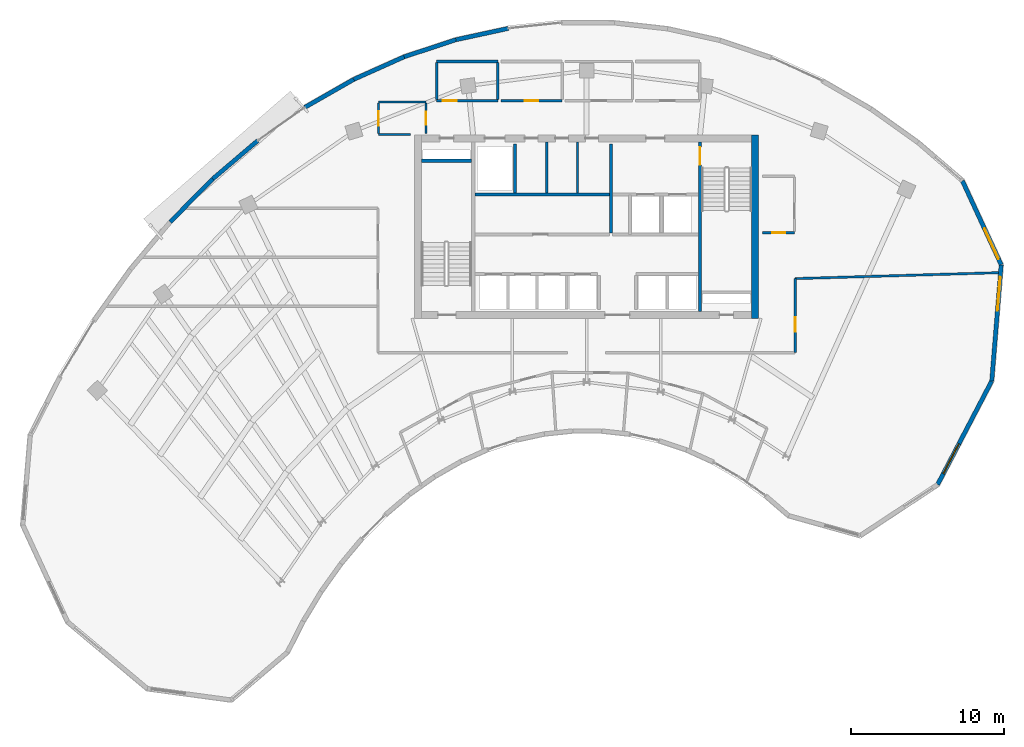
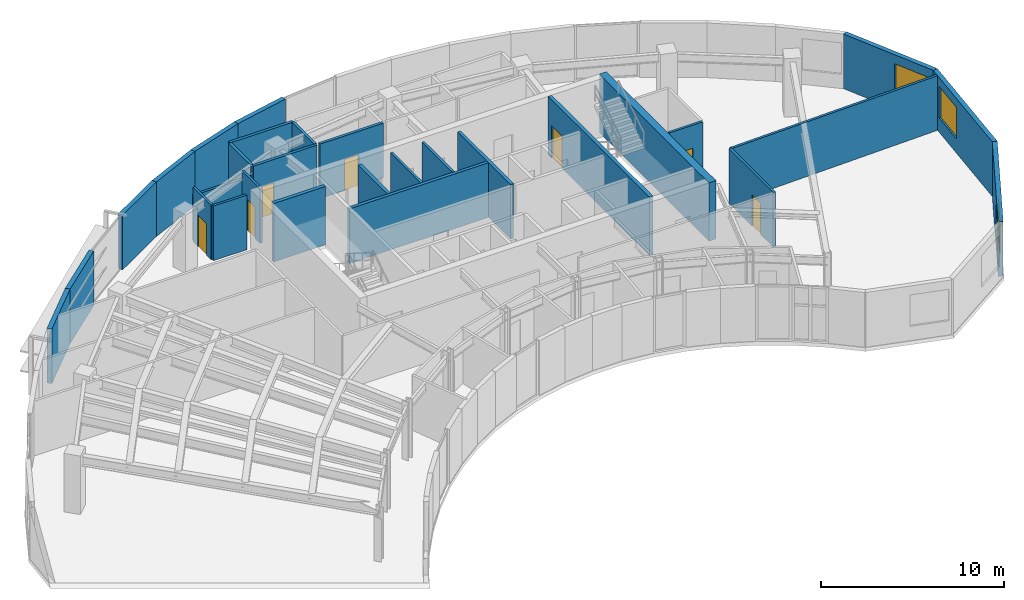
# One storey, part 9 of 12: 29 walls, 7 doors, 3 windows, 10 openings.
"""IFC4 building model written with IfcOpenShell, lengths in metres."""

import ifcopenshell
import ifcopenshell.guid

model = None  # the IFC model being written
_history = None  # IfcOwnerHistory: only IFC2X3 demands one
_inside = {}  # id of a spatial element -> (the spatial element, [elements in it])
_under = {}  # id of a project, library or spatial element -> (it, [spatial elements below it])
_declared = {}  # id of a project -> (the project, [libraries it declares])
_typed = {}  # id of a type object -> (the type object, [elements of that type])
_made_of = {}  # id of a material, layer set ... -> (it, [elements and type objects made of it])


def new_model(schema):
    """Start an empty IFC model of exactly this schema.

    Asked for "IFC4X3", IfcOpenShell would pick the latest addendum, in which some entities
    have other attributes; the version numbers below select the first issue.
    IFC2X3 requires an IfcOwnerHistory on every rooted entity: one is made here for all.
    """
    global model, _history
    if schema == "IFC4X3":
        model = ifcopenshell.file(schema_version=(4, 3, 0, 0))
    else:
        model = ifcopenshell.file(schema=schema)
    _inside.clear()
    _under.clear()
    _declared.clear()
    _typed.clear()
    _made_of.clear()
    _history = None
    if model.schema == "IFC2X3":
        org = make("IfcOrganization", Name="unknown")
        user = make(
            "IfcPersonAndOrganization",
            ThePerson=make("IfcPerson", FamilyName="unknown"),
            TheOrganization=org,
        )
        app = make(
            "IfcApplication",
            ApplicationDeveloper=org,
            Version="unknown",
            ApplicationFullName="unknown",
            ApplicationIdentifier="unknown",
        )
        _history = make(
            "IfcOwnerHistory",
            OwningUser=user,
            OwningApplication=app,
            ChangeAction="ADDED",
            CreationDate=0,
        )
    return model


def make(cls, **values):
    """One entity of the class cls with the attributes given. An attribute that is None is left unset."""
    return model.create_entity(
        cls, **{name: value for name, value in values.items() if value is not None}
    )


def rooted(cls, **values):
    """An entity with a GlobalId (a new one), such as an element, a storey or a relation."""
    return make(cls, GlobalId=ifcopenshell.guid.new(), OwnerHistory=_history, **values)


def si_unit(unit_type, name, prefix=None):
    """IfcSIUnit, for example si_unit("LENGTHUNIT", "METRE", prefix="MILLI")."""
    return make("IfcSIUnit", UnitType=unit_type, Prefix=prefix, Name=name)


def assignment(units):
    """IfcUnitAssignment: the units of a project."""
    return None if units is None else make("IfcUnitAssignment", Units=units)


def point(xyz):
    """IfcCartesianPoint."""
    return None if xyz is None else make("IfcCartesianPoint", Coordinates=xyz)


def direction(xyz):
    """IfcDirection."""
    return None if xyz is None else make("IfcDirection", DirectionRatios=xyz)


def frame(location, z_axis=None, x_axis=None):
    """IfcAxis2Placement3D, a coordinate frame: its origin and axes. An axis left out is left unset."""
    return make(
        "IfcAxis2Placement3D",
        Location=point(location),
        Axis=direction(z_axis),
        RefDirection=direction(x_axis),
    )


def frame_2d(location, x_axis=None):
    """IfcAxis2Placement2D, a coordinate frame in the plane: its origin and x axis."""
    return make(
        "IfcAxis2Placement2D", Location=point(location), RefDirection=direction(x_axis)
    )


def origin():
    """The frame at (0, 0, 0) with its axes left unset."""
    return frame((0.0, 0.0, 0.0))


def place(relative_to, where):
    """IfcLocalPlacement: puts the frame where relative to a parent placement (None: the world)."""
    return make(
        "IfcLocalPlacement", PlacementRelTo=relative_to, RelativePlacement=where
    )


def context(
    kind, dimensions, precision=None, world=None, true_north=None, identifier=None
):
    """IfcGeometricRepresentationContext, for example the 3D "Model" context."""
    return make(
        "IfcGeometricRepresentationContext",
        ContextIdentifier=identifier,
        ContextType=kind,
        CoordinateSpaceDimension=dimensions,
        Precision=precision,
        WorldCoordinateSystem=world,
        TrueNorth=true_north,
    )


def subcontext(parent, identifier, kind, view, scale=None):
    """IfcGeometricRepresentationSubContext, for example "Body" below "Model"."""
    return make(
        "IfcGeometricRepresentationSubContext",
        ContextIdentifier=identifier,
        ContextType=kind,
        ParentContext=parent,
        TargetScale=scale,
        TargetView=view,
    )


def project(units=None, contexts=None):
    """IfcProject with its units and contexts."""
    return rooted(
        "IfcProject",
        Name="project",
        RepresentationContexts=contexts,
        UnitsInContext=assignment(units),
    )


def spatial(cls, under=None, at=None, **own):
    """A site, building, storey or space (cls), placed at a placement, below another one or the project."""
    s = rooted(cls, ObjectPlacement=at, **own)
    if under is not None:
        _under.setdefault(under.id(), (under, []))[1].append(s)
    return s


def profile(cls, at=None, kind="AREA", **sizes):
    """A parametric profile (cls). Its sizes go by their IFC names, for example OverallWidth=200.0."""
    return make(cls, ProfileType=kind, Position=at, **sizes)


def rectangle(**sizes):
    """IfcRectangleProfileDef."""
    return profile("IfcRectangleProfileDef", **sizes)


def extrude(swept, where, along, depth):
    """IfcExtrudedAreaSolid: the profile swept, set in the frame where, extruded along a direction by depth."""
    return make(
        "IfcExtrudedAreaSolid",
        SweptArea=swept,
        Position=where,
        ExtrudedDirection=direction(along),
        Depth=depth,
    )


def shape(context_of_items, identifier, shape_type, items):
    """IfcShapeRepresentation: the items that make up one representation, for example the "Body"."""
    return make(
        "IfcShapeRepresentation",
        ContextOfItems=context_of_items,
        RepresentationIdentifier=identifier,
        RepresentationType=shape_type,
        Items=items,
    )


def source(mapping_origin, context_of_items, identifier, shape_type, items):
    """IfcRepresentationMap: a shape defined once, which mapped items show again and again."""
    return make(
        "IfcRepresentationMap",
        MappingOrigin=mapping_origin,
        MappedRepresentation=shape(context_of_items, identifier, shape_type, items),
    )


def transform(
    local_origin,
    x_axis=None,
    y_axis=None,
    z_axis=None,
    scale=None,
    scale2=None,
    scale3=None,
    uniform=True,
):
    """IfcCartesianTransformationOperator3D, or its non-uniform kind. x_axis, y_axis, z_axis: its Axis1, 2, 3."""
    if uniform:
        return make(
            "IfcCartesianTransformationOperator3D",
            Axis1=direction(x_axis),
            Axis2=direction(y_axis),
            LocalOrigin=point(local_origin),
            Scale=scale,
            Axis3=direction(z_axis),
        )
    return make(
        "IfcCartesianTransformationOperator3DnonUniform",
        Axis1=direction(x_axis),
        Axis2=direction(y_axis),
        LocalOrigin=point(local_origin),
        Scale=scale,
        Axis3=direction(z_axis),
        Scale2=scale2,
        Scale3=scale3,
    )


def mapped(mapping_source, mapping_target):
    """IfcMappedItem: shows the shape of a source again, moved by a transform."""
    return make(
        "IfcMappedItem", MappingSource=mapping_source, MappingTarget=mapping_target
    )


def material(Name=None, Category=None):
    """IfcMaterial."""
    return make("IfcMaterial", Name=Name, Category=Category)


def layer(
    of_material, thickness, ventilated=None, Name=None, Category=None, Priority=None
):
    """IfcMaterialLayer: one layer of a wall or slab, of a material (None: an air gap)."""
    return make(
        "IfcMaterialLayer",
        Material=of_material,
        LayerThickness=thickness,
        IsVentilated=ventilated,
        Name=Name,
        Category=Category,
        Priority=Priority,
    )


def layer_set(layers, Name=None):
    """IfcMaterialLayerSet."""
    return make("IfcMaterialLayerSet", MaterialLayers=layers, LayerSetName=Name)


def made_of(thing, what):
    """Note that an element or type object is made of a material, layer set ...; save() writes the relation."""
    if what is not None:
        _made_of.setdefault(what.id(), (what, []))[1].append(thing)
    return thing


def type_object(cls, material=None, **own):
    """A type object (cls), such as IfcWallType, which elements share."""
    return made_of(rooted(cls, **own), material)


def type_shapes(of_type, sources):
    """Give a type object the sources (RepresentationMaps) that its elements show as mapped items."""
    of_type.RepresentationMaps = sources


def element(
    cls,
    number,
    at=None,
    inside=None,
    cuts=None,
    type_object=None,
    material=None,
    context=None,
    identifier="Body",
    shape_type=None,
    held_by="IfcProductDefinitionShape",
    body=None,
    shapes=None,
    **own,
):
    """One element of the class cls, such as IfcWall. Its Tag is "e" and its number.

    at: its placement. inside: the storey or other place that contains it. cuts: it is an
    opening in that element (IfcRelVoidsElement). A single representation is given by context,
    identifier, shape_type and body (its items); several are given by shapes. held_by: the class
    of the entity that holds the representations. save() writes the other relations.
    """
    e = rooted(cls, Tag="e%d" % number, ObjectPlacement=at, **own)
    if body is not None:
        shapes = [shape(context, identifier, shape_type, body)]
    if shapes is not None:
        e.Representation = make(held_by, Representations=shapes)
    if inside is not None:
        _inside.setdefault(inside.id(), (inside, []))[1].append(e)
    if cuts is not None:
        rooted(
            "IfcRelVoidsElement", RelatingBuildingElement=cuts, RelatedOpeningElement=e
        )
    if type_object is not None:
        _typed.setdefault(type_object.id(), (type_object, []))[1].append(e)
    return made_of(e, material)


def fill(opening, filler):
    """IfcRelFillsElement: the door or window that sits in an opening."""
    return rooted(
        "IfcRelFillsElement",
        RelatingOpeningElement=opening,
        RelatedBuildingElement=filler,
    )


def aggregate(whole, parts):
    """IfcRelAggregates: a whole, such as a stair, and the parts it consists of."""
    return rooted("IfcRelAggregates", RelatingObject=whole, RelatedObjects=parts)


def save(model, path):
    """Write the relations noted so far, then the file.

    IfcRelAggregates (storeys below a building ...), IfcRelContainedInSpatialStructure (elements
    in a storey), IfcRelDefinesByType, IfcRelAssociatesMaterial and IfcRelDeclares: one each for
    every whole, place, type object, material and project.
    """
    for whole, parts in _under.values():
        aggregate(whole, parts)
    for where, things in _inside.values():
        rooted(
            "IfcRelContainedInSpatialStructure",
            RelatedElements=things,
            RelatingStructure=where,
        )
    for kind, things in _typed.values():
        rooted("IfcRelDefinesByType", RelatedObjects=things, RelatingType=kind)
    for what, things in _made_of.values():
        rooted("IfcRelAssociatesMaterial", RelatedObjects=things, RelatingMaterial=what)
    for by, libraries in _declared.values():
        rooted("IfcRelDeclares", RelatingContext=by, RelatedDefinitions=libraries)
    model.write(path)


model = new_model("IFC4")

# Units and contexts
model_context = context("Model", 3, precision=1e-05, world=origin(), true_north=direction((0.0, 1.0)))
body_context = subcontext(model_context, "Body", "Model", "MODEL_VIEW")
ifc_project = project(units=[si_unit("LENGTHUNIT", "METRE"), si_unit("AREAUNIT", "SQUARE_METRE"), si_unit("VOLUMEUNIT", "CUBIC_METRE"), si_unit("PLANEANGLEUNIT", "RADIAN"), si_unit("MASSUNIT", "GRAM", prefix="KILO")], contexts=[model_context])

# Site, building, storey
site_placement = place(None, origin())
site = spatial("IfcSite", under=ifc_project, at=site_placement, CompositionType="ELEMENT")
building_placement = place(site_placement, origin())
building = spatial("IfcBuilding", under=site, at=building_placement, Name="Breltana Convention Tower", CompositionType="ELEMENT")
storey_placement = place(building_placement, frame((0.0, 0.0, 239.10009765625)))
storey = spatial("IfcBuildingStorey", under=building, at=storey_placement, Name="L58", CompositionType="ELEMENT", Elevation=239.10009765625)

# Walls
ifc_material_1 = material(Name="Concrete C50/60", Category="concrete")
ifc_layer_1 = layer(ifc_material_1, 0.39990234375, Name="Concrete C50/60")
ifc_layer_set_1 = layer_set([ifc_layer_1], Name="Concrete C50/60")
wall_type_1 = type_object("IfcWallType", Name="SW-CORE-400", PredefinedType="SHEAR", material=ifc_layer_set_1)
shared_shape_1 = source(origin(), body_context, "Body", "SweptSolid", [
    extrude(rectangle(XDim=3.27001953125, YDim=0.219970703125, at=frame_2d((1.635009765625, 0.0))), origin(), (0.0, 0.0, 1.0), 3.89990234375),
])
wall_1_placement = place(storey_placement, frame((37.199951171875, 70.510009765625, 0.0), z_axis=(0.0, 0.0, 1.0), x_axis=(1.0, 0.0, 0.0)))
element("IfcWall", 1, at=wall_1_placement, inside=storey, type_object=wall_type_1, Name="L58 ST-1 Stairwell North Bearing Wall", PredefinedType="SHEAR", context=body_context, shape_type="MappedRepresentation", body=[
    mapped(shared_shape_1, transform((0.0, 0.0, 0.0), scale=1.0)),
])
ifc_material_2 = material(Name="Concrete C60/75", Category="concrete")
ifc_layer_2 = layer(ifc_material_2, 0.449951171875, Name="Concrete C60/75")
ifc_layer_set_2 = layer_set([ifc_layer_2], Name="Concrete C60/75")
wall_type_2 = type_object("IfcWallType", Name="SW-CORE-450", PredefinedType="SHEAR", material=ifc_layer_set_2)
shared_shape_2 = source(origin(), body_context, "Body", "SweptSolid", [
    extrude(rectangle(XDim=12.0, YDim=0.449951171875, at=frame_2d((6.0, 0.0))), origin(), (0.0, 0.0, 1.0), 3.89990234375),
])
wall_2_placement = place(storey_placement, frame((59.02490234375, 60.199951171875, 0.0), z_axis=(0.0, 0.0, 1.0), x_axis=(0.0, 1.0, 0.0)))
element("IfcWall", 2, at=wall_2_placement, inside=storey, type_object=wall_type_2, Name="L58 East Core Shear Wall", PredefinedType="SHEAR", context=body_context, shape_type="MappedRepresentation", body=[
    mapped(shared_shape_2, transform((0.0, 0.0, 0.0), scale=1.0)),
])

# Wall, opening, door
shared_shape_3 = source(origin(), body_context, "Body", "SweptSolid", [
    extrude(rectangle(XDim=11.10009765625, YDim=0.219970703125, at=frame_2d((5.550048828125, 0.0))), origin(), (0.0, 0.0, 1.0), 3.89990234375),
])
wall_3_placement = place(storey_placement, frame((55.419921875, 60.64990234375, 0.0), z_axis=(0.0, 0.0, 1.0), x_axis=(0.0, 1.0, 0.0)))
wall_3 = element("IfcWall", 3, at=wall_3_placement, inside=storey, type_object=wall_type_1, Name="L58 Core East Stair Spine Wall", PredefinedType="SHEAR", context=body_context, shape_type="MappedRepresentation", body=[
    mapped(shared_shape_3, transform((0.0, 0.0, 0.0), scale=1.0)),
])
opening_1_placement = place(wall_3_placement, frame((9.594970703125, 0.0, 0.0)))
opening_1 = element("IfcOpeningElement", 4, at=opening_1_placement, cuts=wall_3, Name="Opening D-11", PredefinedType="OPENING", context=body_context, shape_type="SweptSolid", body=[
    extrude(rectangle(XDim=1.14990234375, YDim=2.14990234375, at=frame_2d((0.574951171875, 1.074951171875))), frame((0.0, 0.1201171875, 0.0), z_axis=(0.0, -1.0, 0.0), x_axis=(1.0, 0.0, 0.0)), (0.0, 0.0, 1.0), 0.239990234375),
])
ifc_material_3 = material(Name="Steel Stair Exit Door", Category="steel")
door_type_1 = type_object("IfcDoorType", Name="DR-FD120-1150", OperationType="NOTDEFINED", PredefinedType="DOOR", material=ifc_material_3)
shared_shape_4 = source(origin(), body_context, "Body", "SweptSolid", [
    extrude(rectangle(XDim=1.14990234375, YDim=2.14990234375, at=frame_2d((0.574951171875, 1.074951171875))), frame((0.0, 0.02490234375, 0.0), z_axis=(0.0, -1.0, 0.0), x_axis=(1.0, 0.0, 0.0)), (0.0, 0.0, 1.0), 0.050048828125),
])
type_shapes(door_type_1, [shared_shape_4])
door_1_placement = place(opening_1_placement, origin())
door_1 = element("IfcDoor", 5, at=door_1_placement, inside=storey, type_object=door_type_1, Name="L58 interior door D-L58-ST2", OperationType="SINGLE_SWING_LEFT", OverallHeight=2.14990234375, OverallWidth=1.14990234375, PredefinedType="DOOR", context=body_context, shape_type="MappedRepresentation", body=[
    mapped(shared_shape_4, transform((0.0, 0.0, 0.0), scale=1.0)),
])
fill(opening_1, door_1)

# Wall, opening, window
ifc_material_4 = material(Name="Limestone Buff Insulated Wall", Category="masonry")
ifc_layer_3 = layer(ifc_material_4, 0.280029296875, Name="Limestone Buff Insulated Wall")
ifc_layer_set_3 = layer_set([ifc_layer_3], Name="Limestone Buff Insulated Wall")
wall_type_3 = type_object("IfcWallType", Name="WL-EXT-NOSE-280", PredefinedType="SOLIDWALL", material=ifc_layer_set_3)
shared_shape_5 = source(origin(), body_context, "Body", "SweptSolid", [
    extrude(rectangle(XDim=6.049560546875, YDim=0.280029296875, at=frame_2d((3.02490234375, 0.0))), origin(), (0.0, 0.0, 1.0), 3.64990234375),
])
wall_4_placement = place(storey_placement, frame((72.57421875, 69.1982421875, 0.0), z_axis=(0.0, 0.0, 1.0), x_axis=(0.41942922905, -0.907788037935, 0.0)))
wall_4 = element("IfcWall", 6, at=wall_4_placement, inside=storey, type_object=wall_type_3, Name="L58 curved limestone nose wall E1", PredefinedType="SOLIDWALL", context=body_context, shape_type="MappedRepresentation", body=[
    mapped(shared_shape_5, transform((0.0, 0.0, 0.0), scale=1.0)),
])
opening_2_placement = place(wall_4_placement, frame((3.437255859375, 0.0, 0.949951171875)))
opening_2 = element("IfcOpeningElement", 7, at=opening_2_placement, cuts=wall_4, Name="Opening W-03", PredefinedType="OPENING", context=body_context, shape_type="SweptSolid", body=[
    extrude(rectangle(XDim=2.199951171875, YDim=2.10009765625, at=frame_2d((1.10009765625, 1.050048828125))), frame((0.0, 0.14990234375, 0.0), z_axis=(0.0, -1.0, 0.0), x_axis=(1.0, 0.0, 0.0)), (0.0, 0.0, 1.0), 0.300048828125),
])
ifc_material_5 = material(Name="Glass Low-E Insulated Window", Category="glass")
window_type = type_object("IfcWindowType", Name="WN-NOSE-2200X2100", PartitioningType="TRIPLE_PANEL_VERTICAL", PredefinedType="WINDOW", material=ifc_material_5)
shared_shape_6 = source(origin(), body_context, "Body", "SweptSolid", [
    extrude(rectangle(XDim=2.199951171875, YDim=2.10009765625, at=frame_2d((1.10009765625, 1.050048828125))), frame((0.0, 0.030029296875, 0.0), z_axis=(0.0, -1.0, 0.0), x_axis=(1.0, 0.0, 0.0)), (0.0, 0.0, 1.0), 0.06005859375),
])
type_shapes(window_type, [shared_shape_6])
window_1_placement = place(opening_2_placement, origin())
window_1 = element("IfcWindow", 8, at=window_1_placement, inside=storey, type_object=window_type, Name="L58 nose window E1", OverallHeight=2.10009765625, OverallWidth=2.199951171875, PartitioningType="TRIPLE_PANEL_VERTICAL", PredefinedType="WINDOW", context=body_context, shape_type="MappedRepresentation", body=[
    mapped(shared_shape_6, transform((0.0, 0.0, 0.0), scale=1.0)),
])
fill(opening_2, window_1)

shared_shape_7 = source(origin(), body_context, "Body", "SweptSolid", [
    extrude(rectangle(XDim=7.618408203125, YDim=0.280029296875, at=frame_2d((3.80908203125, 0.0))), origin(), (0.0, 0.0, 1.0), 3.64990234375),
])
wall_5_placement = place(storey_placement, frame((75.111572265625, 63.70654296875, 0.0), z_axis=(0.0, 0.0, 1.0), x_axis=(-0.080820171031, -0.996728699273, 0.0)))
wall_5 = element("IfcWall", 9, at=wall_5_placement, inside=storey, type_object=wall_type_3, Name="L58 curved limestone nose wall E2", PredefinedType="SOLIDWALL", context=body_context, shape_type="MappedRepresentation", body=[
    mapped(shared_shape_7, transform((0.0, 0.0, 0.0), scale=1.0)),
])
opening_3_placement = place(wall_5_placement, frame((0.8046875, 0.0, 0.949951171875)))
opening_3 = element("IfcOpeningElement", 10, at=opening_3_placement, cuts=wall_5, Name="Opening W-03", PredefinedType="OPENING", context=body_context, shape_type="SweptSolid", body=[
    extrude(rectangle(XDim=2.199951171875, YDim=2.10009765625, at=frame_2d((1.10009765625, 1.050048828125))), frame((0.0, 0.14990234375, 0.0), z_axis=(0.0, -1.0, 0.0), x_axis=(1.0, 0.0, 0.0)), (0.0, 0.0, 1.0), 0.300048828125),
])
window_2_placement = place(opening_3_placement, origin())
window_2 = element("IfcWindow", 11, at=window_2_placement, inside=storey, type_object=window_type, Name="L58 nose window E2", OverallHeight=2.10009765625, OverallWidth=2.199951171875, PartitioningType="TRIPLE_PANEL_VERTICAL", PredefinedType="WINDOW", context=body_context, shape_type="MappedRepresentation", body=[
    mapped(shared_shape_6, transform((0.0, 0.0, 0.0), scale=1.0)),
])
fill(opening_3, window_2)

shared_shape_8 = source(origin(), body_context, "Body", "SweptSolid", [
    extrude(rectangle(XDim=7.647705078125, YDim=0.280029296875, at=frame_2d((3.82373046875, 0.0))), origin(), (0.0, 0.0, 1.0), 3.64990234375),
])
wall_6_placement = place(storey_placement, frame((74.495849609375, 56.113037109375, 0.0), z_axis=(0.0, 0.0, 1.0), x_axis=(-0.463116873665, -0.886297219519, 0.0)))
wall_6 = element("IfcWall", 12, at=wall_6_placement, inside=storey, type_object=wall_type_3, Name="L58 curved limestone nose wall E3", PredefinedType="SOLIDWALL", context=body_context, shape_type="MappedRepresentation", body=[
    mapped(shared_shape_8, transform((0.0, 0.0, 0.0), scale=1.0)),
])
opening_4_placement = place(wall_6_placement, frame((4.6357421875, 0.0, 0.949951171875)))
opening_4 = element("IfcOpeningElement", 13, at=opening_4_placement, cuts=wall_6, Name="Opening W-03", PredefinedType="OPENING", context=body_context, shape_type="SweptSolid", body=[
    extrude(rectangle(XDim=2.199951171875, YDim=2.10009765625, at=frame_2d((1.10009765625, 1.050048828125))), frame((0.0, 0.14990234375, 0.0), z_axis=(0.0, -1.0, 0.0), x_axis=(1.0, 0.0, 0.0)), (0.0, 0.0, 1.0), 0.300048828125),
])
window_3_placement = place(opening_4_placement, origin())
window_3 = element("IfcWindow", 14, at=window_3_placement, inside=storey, type_object=window_type, Name="L58 nose window E3", OverallHeight=2.10009765625, OverallWidth=2.199951171875, PartitioningType="TRIPLE_PANEL_VERTICAL", PredefinedType="WINDOW", context=body_context, shape_type="MappedRepresentation", body=[
    mapped(shared_shape_6, transform((0.0, 0.0, 0.0), scale=1.0)),
])
fill(opening_4, window_3)

# Walls
shared_shape_9 = source(origin(), body_context, "Body", "SweptSolid", [
    extrude(rectangle(XDim=3.955078125, YDim=0.280029296875, at=frame_2d((1.9775390625, 0.0))), origin(), (0.0, 0.0, 1.0), 3.64990234375),
])
wall_7_placement = place(storey_placement, frame((20.7763671875, 66.50732421875, 0.0), z_axis=(0.0, 0.0, 1.0), x_axis=(0.702710517474, 0.711475880569, 0.0)))
element("IfcWall", 15, at=wall_7_placement, inside=storey, type_object=wall_type_3, Name="L58 curved limestone nose wall E22", PredefinedType="SOLIDWALL", context=body_context, shape_type="MappedRepresentation", body=[
    mapped(shared_shape_9, transform((0.0, 0.0, 0.0), scale=1.0)),
])
shared_shape_10 = source(origin(), body_context, "Body", "SweptSolid", [
    extrude(rectangle(XDim=3.8603515625, YDim=0.280029296875, at=frame_2d((1.93017578125, 0.0))), origin(), (0.0, 0.0, 1.0), 3.64990234375),
])
wall_8_placement = place(storey_placement, frame((23.5556640625, 69.3212890625, 0.0), z_axis=(0.0, 0.0, 1.0), x_axis=(0.761497547739, 0.648167790613, 0.0)))
element("IfcWall", 16, at=wall_8_placement, inside=storey, type_object=wall_type_3, Name="L58 curved limestone nose wall E23", PredefinedType="SOLIDWALL", context=body_context, shape_type="MappedRepresentation", body=[
    mapped(shared_shape_10, transform((0.0, 0.0, 0.0), scale=1.0)),
])
shared_shape_11 = source(origin(), body_context, "Body", "SweptSolid", [
    extrude(rectangle(XDim=3.68798828125, YDim=0.280029296875, at=frame_2d((1.843994140625, 0.0))), origin(), (0.0, 0.0, 1.0), 3.64990234375),
])
wall_9_placement = place(storey_placement, frame((29.57568359375, 73.99755859375, 0.0), z_axis=(0.0, 0.0, 1.0), x_axis=(0.867929289274, 0.496687778005, 0.0)))
element("IfcWall", 17, at=wall_9_placement, inside=storey, type_object=wall_type_3, Name="L58 curved limestone nose wall E24", PredefinedType="SOLIDWALL", context=body_context, shape_type="MappedRepresentation", body=[
    mapped(shared_shape_11, transform((0.0, 0.0, 0.0), scale=1.0)),
])
shared_shape_12 = source(origin(), body_context, "Body", "SweptSolid", [
    extrude(rectangle(XDim=3.556884765625, YDim=0.280029296875, at=frame_2d((1.7783203125, 0.0))), origin(), (0.0, 0.0, 1.0), 3.64990234375),
])
wall_10_placement = place(storey_placement, frame((36.07666015625, 77.306640625, 0.0), z_axis=(0.0, 0.0, 1.0), x_axis=(0.949687460385, 0.31319918197, 0.0)))
element("IfcWall", 18, at=wall_10_placement, inside=storey, type_object=wall_type_3, Name="L58 curved limestone nose wall E26", PredefinedType="SOLIDWALL", context=body_context, shape_type="MappedRepresentation", body=[
    mapped(shared_shape_12, transform((0.0, 0.0, 0.0), scale=1.0)),
])
shared_shape_13 = source(origin(), body_context, "Body", "SweptSolid", [
    extrude(rectangle(XDim=3.512939453125, YDim=0.280029296875, at=frame_2d((1.75634765625, 0.0))), origin(), (0.0, 0.0, 1.0), 3.64990234375),
])
wall_11_placement = place(storey_placement, frame((39.45458984375, 78.420654296875, 0.0), z_axis=(0.0, 0.0, 1.0), x_axis=(0.977366029072, 0.211555300611, 0.0)))
element("IfcWall", 19, at=wall_11_placement, inside=storey, type_object=wall_type_3, Name="L58 curved limestone nose wall E27", PredefinedType="SOLIDWALL", context=body_context, shape_type="MappedRepresentation", body=[
    mapped(shared_shape_13, transform((0.0, 0.0, 0.0), scale=1.0)),
])
shared_shape_14 = source(origin(), body_context, "Body", "SweptSolid", [
    extrude(rectangle(XDim=3.61572265625, YDim=0.280029296875, at=frame_2d((1.807861328125, 0.0))), origin(), (0.0, 0.0, 1.0), 3.64990234375),
])
wall_12_placement = place(storey_placement, frame((32.776611328125, 75.829345703125, 0.0), z_axis=(0.0, 0.0, 1.0), x_axis=(0.912719530576, 0.408586659726, 0.0)))
element("IfcWall", 20, at=wall_12_placement, inside=storey, type_object=wall_type_3, Name="L58 curved limestone nose wall E25", PredefinedType="SOLIDWALL", context=body_context, shape_type="MappedRepresentation", body=[
    mapped(shared_shape_14, transform((0.0, 0.0, 0.0), scale=1.0)),
])
ifc_material_6 = material(Name="Autoclaved Aerated Concrete Block", Category="concrete")
ifc_layer_4 = layer(ifc_material_6, 0.199951171875, Name="Autoclaved Aerated Concrete Block")
ifc_layer_set_4 = layer_set([ifc_layer_4], Name="Autoclaved Aerated Concrete Block")
wall_type_4 = type_object("IfcWallType", Name="WL-SHAFT-200", PredefinedType="SOLIDWALL", material=ifc_layer_set_4)
shared_shape_15 = source(origin(), body_context, "Body", "SweptSolid", [
    extrude(rectangle(XDim=5.800048828125, YDim=0.199951171875, at=frame_2d((2.89990234375, 0.0))), origin(), (0.0, 0.0, 1.0), 3.64990234375),
])
wall_13_placement = place(storey_placement, frame((49.60009765625, 65.800048828125, 0.0), z_axis=(0.0, 0.0, 1.0), x_axis=(0.0, 1.0, 0.0)))
element("IfcWall", 21, at=wall_13_placement, inside=storey, type_object=wall_type_4, Name="L58 interior partition W-L58-FFL-W", PredefinedType="SOLIDWALL", context=body_context, shape_type="MappedRepresentation", body=[
    mapped(shared_shape_15, transform((0.0, 0.0, 0.0), scale=1.0)),
])
shared_shape_16 = source(origin(), body_context, "Body", "SweptSolid", [
    extrude(rectangle(XDim=3.2001953125, YDim=0.199951171875, at=frame_2d((1.60009765625, 0.0))), origin(), (0.0, 0.0, 1.0), 3.64990234375),
])
wall_14_placement = place(storey_placement, frame((43.320068359375, 68.39990234375, 0.0), z_axis=(0.0, 0.0, 1.0), x_axis=(0.0, 1.0, 0.0)))
element("IfcWall", 22, at=wall_14_placement, inside=storey, type_object=wall_type_4, Name="L58 interior partition W-L58-SV-E", PredefinedType="SOLIDWALL", context=body_context, shape_type="MappedRepresentation", body=[
    mapped(shared_shape_16, transform((0.0, 0.0, 0.0), scale=1.0)),
])
shared_shape_17 = source(origin(), body_context, "Body", "SweptSolid", [
    extrude(rectangle(XDim=8.800048828125, YDim=0.199951171875, at=frame_2d((4.39990234375, 0.0))), origin(), (0.0, 0.0, 1.0), 3.64990234375),
])
wall_15_placement = place(storey_placement, frame((40.699951171875, 68.300048828125, 0.0), z_axis=(0.0, 0.0, 1.0), x_axis=(1.0, 0.0, 0.0)))
element("IfcWall", 23, at=wall_15_placement, inside=storey, type_object=wall_type_4, Name="L58 interior partition W-L58-SV-S", PredefinedType="SOLIDWALL", context=body_context, shape_type="MappedRepresentation", body=[
    mapped(shared_shape_17, transform((0.0, 0.0, 0.0), scale=1.0)),
])
ifc_material_7 = material(Name="Gypsum Acoustic Drywall Partition")
ifc_layer_5 = layer(ifc_material_7, 0.14990234375, Name="Gypsum Acoustic Drywall Partition")
ifc_layer_set_5 = layer_set([ifc_layer_5], Name="Gypsum Acoustic Drywall Partition")
wall_type_5 = type_object("IfcWallType", Name="WL-PART-150", PredefinedType="PARTITIONING", material=ifc_layer_set_5)
shared_shape_18 = source(origin(), body_context, "Body", "SweptSolid", [
    extrude(rectangle(XDim=2.10009765625, YDim=0.14990234375, at=frame_2d((1.050048828125, 0.0))), origin(), (0.0, 0.0, 1.0), 3.64990234375),
])
wall_16_placement = place(storey_placement, frame((34.39990234375, 72.219970703125, 0.0), z_axis=(0.0, 0.0, 1.0), x_axis=(1.0, 0.0, 0.0)))
element("IfcWall", 24, at=wall_16_placement, inside=storey, type_object=wall_type_5, Name="L58 interior partition W-L58-CRNE-S", PredefinedType="PARTITIONING", context=body_context, shape_type="MappedRepresentation", body=[
    mapped(shared_shape_18, transform((0.0, 0.0, 0.0), scale=1.0)),
])

# Wall, opening, door
wall_17_placement = place(storey_placement, frame((59.5, 65.800048828125, 0.0), z_axis=(0.0, 0.0, 1.0), x_axis=(1.0, 0.0, 0.0)))
wall_17 = element("IfcWall", 25, at=wall_17_placement, inside=storey, type_object=wall_type_5, Name="L58 interior partition W-L58-CRSE-S", PredefinedType="PARTITIONING", context=body_context, shape_type="MappedRepresentation", body=[
    mapped(shared_shape_18, transform((0.0, 0.0, 0.0), scale=1.0)),
])
opening_5_placement = place(wall_17_placement, frame((0.625, 0.0, 0.0)))
opening_5 = element("IfcOpeningElement", 26, at=opening_5_placement, cuts=wall_17, Name="Opening D-20", PredefinedType="OPENING", context=body_context, shape_type="SweptSolid", body=[
    extrude(rectangle(XDim=0.85009765625, YDim=2.10009765625, at=frame_2d((0.425048828125, 1.050048828125))), frame((0.0, 0.0849609375, 0.0), z_axis=(0.0, -1.0, 0.0), x_axis=(1.0, 0.0, 0.0)), (0.0, 0.0, 1.0), 0.169921875),
])
ifc_material_8 = material(Name="Steel Closet Fire Door", Category="steel")
door_type_2 = type_object("IfcDoorType", Name="DR-FD60-850", OperationType="NOTDEFINED", PredefinedType="DOOR", material=ifc_material_8)
shared_shape_19 = source(origin(), body_context, "Body", "SweptSolid", [
    extrude(rectangle(XDim=0.85009765625, YDim=2.10009765625, at=frame_2d((0.425048828125, 1.050048828125))), frame((0.0, 0.02490234375, 0.0), z_axis=(0.0, -1.0, 0.0), x_axis=(1.0, 0.0, 0.0)), (0.0, 0.0, 1.0), 0.050048828125),
])
type_shapes(door_type_2, [shared_shape_19])
door_2_placement = place(opening_5_placement, origin())
door_2 = element("IfcDoor", 27, at=door_2_placement, inside=storey, type_object=door_type_2, Name="L58 interior door D-L58-CRSE", OperationType="SINGLE_SWING_LEFT", OverallHeight=2.10009765625, OverallWidth=0.85009765625, PredefinedType="DOOR", context=body_context, shape_type="MappedRepresentation", body=[
    mapped(shared_shape_19, transform((0.0, 0.0, 0.0), scale=1.0)),
])
fill(opening_5, door_2)

shared_shape_20 = source(origin(), body_context, "Body", "SweptSolid", [
    extrude(rectangle(XDim=1.994873046875, YDim=0.14990234375, at=frame_2d((0.99755859375, 0.0))), origin(), (0.0, 0.0, 1.0), 3.64990234375),
])
wall_18_placement = place(storey_placement, frame((34.39990234375, 72.28759765625, 0.0), z_axis=(0.0, 0.0, 1.0), x_axis=(0.0, 1.0, 0.0)))
wall_18 = element("IfcWall", 28, at=wall_18_placement, inside=storey, type_object=wall_type_5, Name="L58 interior partition W-L58-CRNE-W", PredefinedType="PARTITIONING", context=body_context, shape_type="MappedRepresentation", body=[
    mapped(shared_shape_20, transform((0.0, 0.0, 0.0), scale=1.0)),
])
opening_6_placement = place(wall_18_placement, frame((0.5224609375, 0.0, 0.0)))
opening_6 = element("IfcOpeningElement", 29, at=opening_6_placement, cuts=wall_18, Name="Opening D-17", PredefinedType="OPENING", context=body_context, shape_type="SweptSolid", body=[
    extrude(rectangle(XDim=0.949951171875, YDim=2.10009765625, at=frame_2d((0.47509765625, 1.050048828125))), frame((0.0, 0.0849609375, 0.0), z_axis=(0.0, -1.0, 0.0), x_axis=(1.0, 0.0, 0.0)), (0.0, 0.0, 1.0), 0.169921875),
])
ifc_material_9 = material(Name="Timber Oak Veneer Door", Category="wood")
door_type_3 = type_object("IfcDoorType", Name="DR-INT-950", OperationType="NOTDEFINED", PredefinedType="DOOR", material=ifc_material_9)
shared_shape_21 = source(origin(), body_context, "Body", "SweptSolid", [
    extrude(rectangle(XDim=0.949951171875, YDim=2.10009765625, at=frame_2d((0.47509765625, 1.050048828125))), frame((0.0, 0.02490234375, 0.0), z_axis=(0.0, -1.0, 0.0), x_axis=(1.0, 0.0, 0.0)), (0.0, 0.0, 1.0), 0.050048828125),
])
type_shapes(door_type_3, [shared_shape_21])
door_3_placement = place(opening_6_placement, origin())
door_3 = element("IfcDoor", 30, at=door_3_placement, inside=storey, type_object=door_type_3, Name="L58 interior door D-L58-EXW4", OperationType="SINGLE_SWING_RIGHT", OverallHeight=2.10009765625, OverallWidth=0.949951171875, PredefinedType="DOOR", context=body_context, shape_type="MappedRepresentation", body=[
    mapped(shared_shape_21, transform((0.0, 0.0, 0.0), scale=1.0)),
])
fill(opening_6, door_3)

shared_shape_22 = source(origin(), body_context, "Body", "SweptSolid", [
    extrude(rectangle(XDim=1.982421875, YDim=0.14990234375, at=frame_2d((0.9912109375, 0.0))), origin(), (0.0, 0.0, 1.0), 3.64990234375),
])
wall_19_placement = place(storey_placement, frame((37.5, 72.300048828125, 0.0), z_axis=(0.0, 0.0, 1.0), x_axis=(0.0, 1.0, 0.0)))
wall_19 = element("IfcWall", 31, at=wall_19_placement, inside=storey, type_object=wall_type_5, Name="L58 interior partition W-L58-CRNE-E", PredefinedType="PARTITIONING", context=body_context, shape_type="MappedRepresentation", body=[
    mapped(shared_shape_22, transform((0.0, 0.0, 0.0), scale=1.0)),
])
opening_7_placement = place(wall_19_placement, frame((0.56640625, 0.0, 0.0)))
opening_7 = element("IfcOpeningElement", 32, at=opening_7_placement, cuts=wall_19, Name="Opening D-20", PredefinedType="OPENING", context=body_context, shape_type="SweptSolid", body=[
    extrude(rectangle(XDim=0.85009765625, YDim=2.10009765625, at=frame_2d((0.425048828125, 1.050048828125))), frame((0.0, 0.0849609375, 0.0), z_axis=(0.0, -1.0, 0.0), x_axis=(1.0, 0.0, 0.0)), (0.0, 0.0, 1.0), 0.169921875),
])
door_4_placement = place(opening_7_placement, origin())
door_4 = element("IfcDoor", 33, at=door_4_placement, inside=storey, type_object=door_type_2, Name="L58 interior door D-L58-CRNE", OperationType="SINGLE_SWING_RIGHT", OverallHeight=2.10009765625, OverallWidth=0.85009765625, PredefinedType="DOOR", context=body_context, shape_type="MappedRepresentation", body=[
    mapped(shared_shape_19, transform((0.0, 0.0, 0.0), scale=1.0)),
])
fill(opening_7, door_4)

# Walls
shared_shape_23 = source(origin(), body_context, "Body", "SweptSolid", [
    extrude(rectangle(XDim=3.330078125, YDim=0.14990234375, at=frame_2d((1.6650390625, 0.0))), origin(), (0.0, 0.0, 1.0), 3.64990234375),
])
for number, where, z_axis, x_axis, name in (
    (34, (45.39990234375, 68.39990234375, 0.0), (0.0, 0.0, 1.0), (0.0, 1.0, 0.0), "L58 interior partition W-L58-KV-1"),
    (35, (47.39990234375, 68.39990234375, 0.0), (0.0, 0.0, 1.0), (0.0, 1.0, 0.0), "L58 interior partition W-L58-KV-2"),
):
    element("IfcWall", number, at=place(storey_placement, frame(where, z_axis=z_axis, x_axis=x_axis)), inside=storey, type_object=wall_type_5, Name=name, PredefinedType="PARTITIONING", context=body_context, shape_type="MappedRepresentation", body=[
        mapped(shared_shape_23, transform((0.0, 0.0, 0.0), scale=1.0)),
    ])

# Wall, opening, door
ifc_material_10 = material(Name="Cement Board Wet-Area Partition")
ifc_layer_6 = layer(ifc_material_10, 0.175048828125, Name="Cement Board Wet-Area Partition")
ifc_layer_set_6 = layer_set([ifc_layer_6], Name="Cement Board Wet-Area Partition")
wall_type_6 = type_object("IfcWallType", Name="WL-WET-175", PredefinedType="PARTITIONING", material=ifc_layer_set_6)
shared_shape_24 = source(origin(), body_context, "Body", "SweptSolid", [
    extrude(rectangle(XDim=4.0, YDim=0.175048828125, at=frame_2d((2.0, 0.0))), origin(), (0.0, 0.0, 1.0), 3.64990234375),
])
wall_20_placement = place(storey_placement, frame((38.199951171875, 74.43994140625, 0.0), z_axis=(0.0, 0.0, 1.0), x_axis=(1.0, 0.0, 0.0)))
wall_20 = element("IfcWall", 36, at=wall_20_placement, inside=storey, type_object=wall_type_6, Name="L58 interior partition W-L58-WCM-S", PredefinedType="PARTITIONING", context=body_context, shape_type="MappedRepresentation", body=[
    mapped(shared_shape_24, transform((0.0, 0.0, 0.0), scale=1.0)),
])
opening_8_placement = place(wall_20_placement, frame((0.39990234375, 0.0, 0.0)))
opening_8 = element("IfcOpeningElement", 37, at=opening_8_placement, cuts=wall_20, Name="Opening D-19", PredefinedType="OPENING", context=body_context, shape_type="SweptSolid", body=[
    extrude(rectangle(XDim=0.89990234375, YDim=2.080078125, at=frame_2d((0.449951171875, 1.0400390625))), frame((0.0, 0.09765625, 0.0), z_axis=(0.0, -1.0, 0.0), x_axis=(1.0, 0.0, 0.0)), (0.0, 0.0, 1.0), 0.195068359375),
])
ifc_material_11 = material(Name="Timber Moisture-Resistant Door", Category="wood")
door_type_4 = type_object("IfcDoorType", Name="DR-WC-900", OperationType="NOTDEFINED", PredefinedType="DOOR", material=ifc_material_11)
shared_shape_25 = source(origin(), body_context, "Body", "SweptSolid", [
    extrude(rectangle(XDim=0.89990234375, YDim=2.080078125, at=frame_2d((0.449951171875, 1.0400390625))), frame((0.0, 0.02490234375, 0.0), z_axis=(0.0, -1.0, 0.0), x_axis=(1.0, 0.0, 0.0)), (0.0, 0.0, 1.0), 0.050048828125),
])
type_shapes(door_type_4, [shared_shape_25])
door_5_placement = place(opening_8_placement, origin())
door_5 = element("IfcDoor", 38, at=door_5_placement, inside=storey, type_object=door_type_4, Name="L58 interior door D-L58-WCM", OperationType="SINGLE_SWING_RIGHT", OverallHeight=2.080078125, OverallWidth=0.89990234375, PredefinedType="DOOR", context=body_context, shape_type="MappedRepresentation", body=[
    mapped(shared_shape_25, transform((0.0, 0.0, 0.0), scale=1.0)),
])
fill(opening_8, door_5)

wall_21_placement = place(storey_placement, frame((42.39990234375, 74.43994140625, 0.0), z_axis=(0.0, 0.0, 1.0), x_axis=(1.0, 0.0, 0.0)))
wall_21 = element("IfcWall", 39, at=wall_21_placement, inside=storey, type_object=wall_type_6, Name="L58 interior partition W-L58-WCF-S", PredefinedType="PARTITIONING", context=body_context, shape_type="MappedRepresentation", body=[
    mapped(shared_shape_24, transform((0.0, 0.0, 0.0), scale=1.0)),
])
opening_9_placement = place(wall_21_placement, frame((1.550048828125, 0.0, 0.0)))
opening_9 = element("IfcOpeningElement", 40, at=opening_9_placement, cuts=wall_21, Name="Opening D-19", PredefinedType="OPENING", context=body_context, shape_type="SweptSolid", body=[
    extrude(rectangle(XDim=0.89990234375, YDim=2.080078125, at=frame_2d((0.449951171875, 1.0400390625))), frame((0.0, 0.09765625, 0.0), z_axis=(0.0, -1.0, 0.0), x_axis=(1.0, 0.0, 0.0)), (0.0, 0.0, 1.0), 0.195068359375),
])
door_6_placement = place(opening_9_placement, origin())
door_6 = element("IfcDoor", 41, at=door_6_placement, inside=storey, type_object=door_type_4, Name="L58 interior door D-L58-WCF", OperationType="SINGLE_SWING_LEFT", OverallHeight=2.080078125, OverallWidth=0.89990234375, PredefinedType="DOOR", context=body_context, shape_type="MappedRepresentation", body=[
    mapped(shared_shape_25, transform((0.0, 0.0, 0.0), scale=1.0)),
])
fill(opening_9, door_6)

# Walls
ifc_material_12 = material(Name="Moisture-Resistant Gypsum Chase Wall")
ifc_layer_7 = layer(ifc_material_12, 0.179931640625, Name="Moisture-Resistant Gypsum Chase Wall")
ifc_layer_set_7 = layer_set([ifc_layer_7], Name="Moisture-Resistant Gypsum Chase Wall")
wall_type_7 = type_object("IfcWallType", Name="WL-PLUMB-180", PredefinedType="PLUMBINGWALL", material=ifc_layer_set_7)
shared_shape_26 = source(origin(), body_context, "Body", "SweptSolid", [
    extrude(rectangle(XDim=4.0, YDim=0.179931640625, at=frame_2d((2.0, 0.0))), origin(), (0.0, 0.0, 1.0), 3.64990234375),
])
wall_22_placement = place(storey_placement, frame((38.199951171875, 77.0, 0.0), z_axis=(0.0, 0.0, 1.0), x_axis=(1.0, 0.0, 0.0)))
element("IfcWall", 42, at=wall_22_placement, inside=storey, type_object=wall_type_7, Name="L58 interior partition W-L58-WCM-N", PredefinedType="PLUMBINGWALL", context=body_context, shape_type="MappedRepresentation", body=[
    mapped(shared_shape_26, transform((0.0, 0.0, 0.0), scale=1.0)),
])
shared_shape_27 = source(origin(), body_context, "Body", "SweptSolid", [
    extrude(rectangle(XDim=2.402587890625, YDim=0.175048828125, at=frame_2d((1.201171875, 0.0))), origin(), (0.0, 0.0, 1.0), 3.64990234375),
])
for number, where, z_axis, x_axis, name in (
    (43, (38.199951171875, 74.518798828125, 0.0), (0.0, 0.0, 1.0), (0.0, 1.0, 0.0), "L58 interior partition W-L58-WCM-W"),
    (44, (42.199951171875, 74.518798828125, 0.0), (0.0, 0.0, 1.0), (0.0, 1.0, 0.0), "L58 interior partition W-L58-WCM-E"),
):
    element("IfcWall", number, at=place(storey_placement, frame(where, z_axis=z_axis, x_axis=x_axis)), inside=storey, type_object=wall_type_6, Name=name, PredefinedType="PARTITIONING", context=body_context, shape_type="MappedRepresentation", body=[
        mapped(shared_shape_27, transform((0.0, 0.0, 0.0), scale=1.0)),
    ])
shared_shape_28 = source(origin(), body_context, "Body", "SweptSolid", [
    extrude(rectangle(XDim=3.10009765625, YDim=0.14990234375, at=frame_2d((1.550048828125, 0.0))), origin(), (0.0, 0.0, 1.0), 3.080810546875),
])
wall_23_placement = place(storey_placement, frame((34.39990234375, 74.35009765625, 0.0), z_axis=(0.0, 0.0, 1.0), x_axis=(1.0, 0.0, 0.0)))
element("IfcWall", 45, at=wall_23_placement, inside=storey, type_object=wall_type_5, Name="L58 interior partition W-L58-CRNE-N", PredefinedType="PARTITIONING", context=body_context, shape_type="MappedRepresentation", body=[
    mapped(shared_shape_28, transform((0.0, 0.0, 0.0), scale=1.0)),
])
shared_shape_29 = source(origin(), body_context, "Body", "SweptSolid", [
    extrude(rectangle(XDim=13.31494140625, YDim=0.14990234375, at=frame_2d((6.657470703125, 0.0))), origin(), (0.0, 0.0, 1.0), 3.64990234375),
])
wall_24_placement = place(storey_placement, frame((61.639892578125, 62.800048828125, 0.0), z_axis=(0.0, 0.0, 1.0), x_axis=(0.999574400598, 0.029172207124, 0.0)))
element("IfcWall", 46, at=wall_24_placement, inside=storey, type_object=wall_type_5, Name="L58 interior partition W-L58-EXE1-N", PredefinedType="PARTITIONING", context=body_context, shape_type="MappedRepresentation", body=[
    mapped(shared_shape_29, transform((0.0, 0.0, 0.0), scale=1.0)),
])

# Wall, opening, door
shared_shape_30 = source(origin(), body_context, "Body", "SweptSolid", [
    extrude(rectangle(XDim=4.840087890625, YDim=0.14990234375, at=frame_2d((2.419921875, 0.0))), origin(), (0.0, 0.0, 1.0), 3.64990234375),
])
wall_25_placement = place(storey_placement, frame((61.639892578125, 57.9599609375, 0.0), z_axis=(0.0, 0.0, 1.0), x_axis=(0.0, 1.0, 0.0)))
wall_25 = element("IfcWall", 47, at=wall_25_placement, inside=storey, type_object=wall_type_5, Name="L58 interior partition W-L58-EXE1-ENT", PredefinedType="PARTITIONING", context=body_context, shape_type="MappedRepresentation", body=[
    mapped(shared_shape_30, transform((0.0, 0.0, 0.0), scale=1.0)),
])
opening_10_placement = place(wall_25_placement, frame((1.3642578125, 0.0, 0.0)))
opening_10 = element("IfcOpeningElement", 48, at=opening_10_placement, cuts=wall_25, Name="Opening D-17", PredefinedType="OPENING", context=body_context, shape_type="SweptSolid", body=[
    extrude(rectangle(XDim=0.949951171875, YDim=2.10009765625, at=frame_2d((0.47509765625, 1.050048828125))), frame((0.0, 0.0849609375, 0.0), z_axis=(0.0, -1.0, 0.0), x_axis=(1.0, 0.0, 0.0)), (0.0, 0.0, 1.0), 0.169921875),
])
door_7_placement = place(opening_10_placement, origin())
door_7 = element("IfcDoor", 49, at=door_7_placement, inside=storey, type_object=door_type_3, Name="L58 interior door D-L58-EXE1", OperationType="SINGLE_SWING_LEFT", OverallHeight=2.10009765625, OverallWidth=0.949951171875, PredefinedType="DOOR", context=body_context, shape_type="MappedRepresentation", body=[
    mapped(shared_shape_21, transform((0.0, 0.0, 0.0), scale=1.0)),
])
fill(opening_10, door_7)

save(model, "model.ifc")
